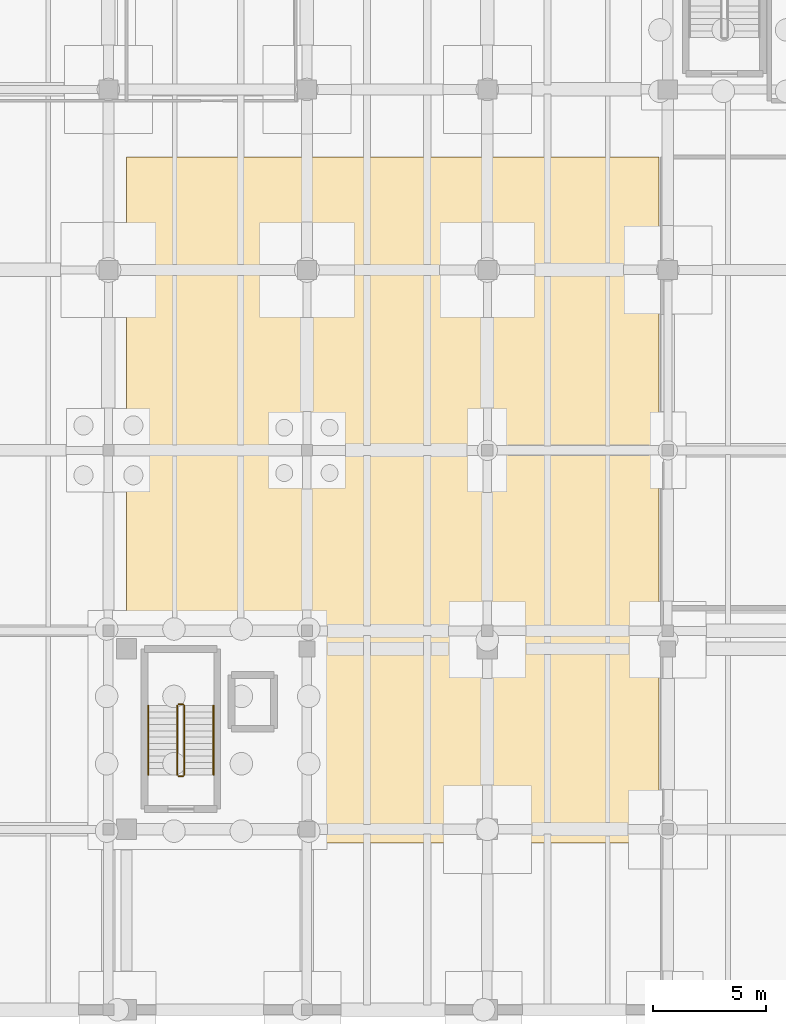
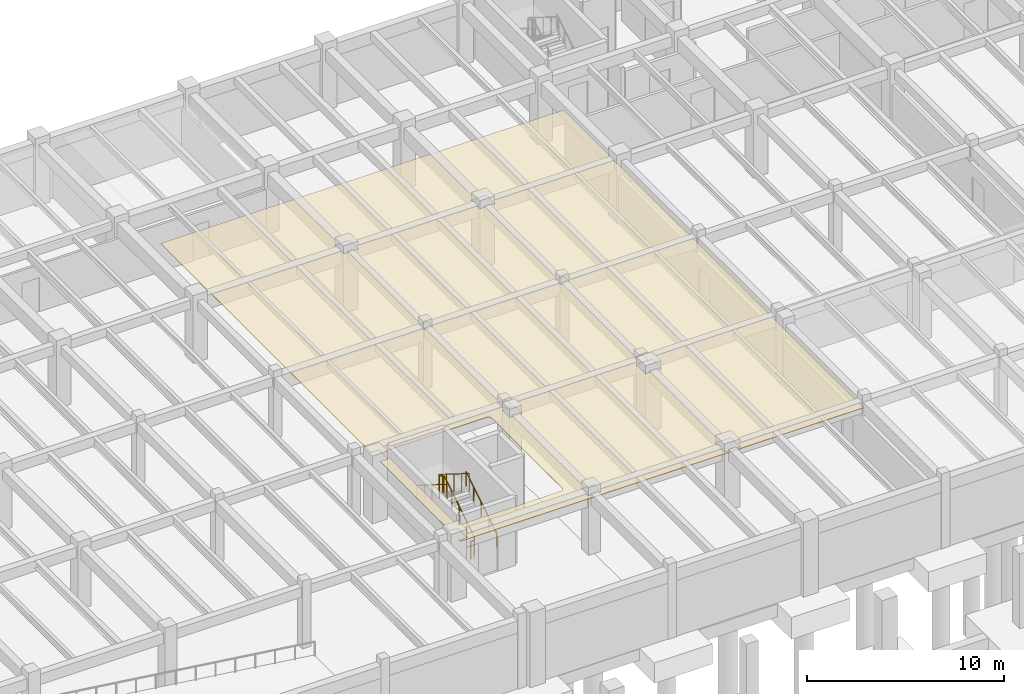
# One storey, part 19 of 25: 6 railings, 1 covering.
"""IFC4 building model written with IfcOpenShell, lengths in metres."""

from ifc_helpers import new_model, si_unit, direction, frame, origin, origin_2d, place, context, subcontext, project, spatial, polyline, circle, outline, extrude, material, layer, layer_set, type_object, element, save


model = new_model("IFC4")

# Units and contexts
model_context = context("Model", 3, precision=1e-05, world=origin(), true_north=direction((0.0, 1.0)))
body_context = subcontext(model_context, "Body", "Model", "MODEL_VIEW")
ifc_project = project(units=[si_unit("LENGTHUNIT", "METRE"), si_unit("AREAUNIT", "SQUARE_METRE"), si_unit("VOLUMEUNIT", "CUBIC_METRE"), si_unit("PLANEANGLEUNIT", "RADIAN"), si_unit("MASSUNIT", "GRAM", prefix="KILO")], contexts=[model_context])

# Site, building, storey
site_placement = place(None, origin())
site = spatial("IfcSite", under=ifc_project, at=site_placement, CompositionType="ELEMENT")
building_placement = place(site_placement, origin())
building = spatial("IfcBuilding", under=site, at=building_placement, Name="Tlaxcora Railside Police Headquarters", CompositionType="ELEMENT")
storey_placement = place(building_placement, frame((0.0, 0.0, -4.199951171875)))
storey = spatial("IfcBuildingStorey", under=building, at=storey_placement, Name="B1", CompositionType="ELEMENT", Elevation=-4.199951171875)

# Covering
ifc_material_1 = material(Name="Mineral-fibre acoustic ceiling tile")
ifc_layer = layer(ifc_material_1, 0.034912109375, Name="Mineral-fibre acoustic ceiling tile")
ifc_layer_set = layer_set([ifc_layer], Name="Mineral-fibre acoustic ceiling tile")
covering_type = type_object("IfcCoveringType", Name="Acoustic Suspended Ceiling CLG-01", PredefinedType="CEILING", material=ifc_layer_set)
covering_placement = place(storey_placement, frame((0.0, 0.0, 3.68505859375)))
element("IfcCovering", 1, at=covering_placement, inside=storey, type_object=covering_type, Name="Tactical Response Vehicle Readiness Bay and Equipment Depot suspended ceiling", PredefinedType="CEILING", context=body_context, shape_type="SweptSolid", body=[
    extrude(outline(polyline([(69.60009765625, 81.800048828125), (46.0, 81.800048828125), (46.0, 60.4599609375), (46.4599609375, 60.4599609375), (46.4599609375, 59.5400390625), (46.0, 59.5400390625), (46.0, 52.4599609375), (46.4599609375, 52.4599609375), (46.4599609375, 51.5400390625), (46.0, 51.5400390625), (46.0, 51.39990234375), (69.60009765625, 51.39990234375), (69.60009765625, 76.364990234375), (69.56494140625, 76.364990234375), (69.56494140625, 77.235107421875), (69.60009765625, 77.235107421875), (69.60009765625, 81.800048828125)]), holes=[polyline([(52.81884765625, 52.87841796875), (52.81591796875, 52.857177734375), (52.810546875, 52.836181640625), (52.80322265625, 52.81591796875), (52.7939453125, 52.79638671875), (52.782958984375, 52.77783203125), (52.77001953125, 52.760498046875), (52.755615234375, 52.744384765625), (52.739501953125, 52.72998046875), (52.72216796875, 52.717041015625), (52.70361328125, 52.7060546875), (52.68408203125, 52.69677734375), (52.663818359375, 52.689453125), (52.642822265625, 52.68408203125), (52.62158203125, 52.68115234375), (52.60009765625, 52.679931640625), (46.800048828125, 52.679931640625), (46.7783203125, 52.68115234375), (46.757080078125, 52.68408203125), (46.736083984375, 52.689453125), (46.7158203125, 52.69677734375), (46.6962890625, 52.7060546875), (46.677734375, 52.717041015625), (46.660400390625, 52.72998046875), (46.644287109375, 52.744384765625), (46.6298828125, 52.760498046875), (46.6171875, 52.77783203125), (46.60595703125, 52.79638671875), (46.5966796875, 52.81591796875), (46.589599609375, 52.836181640625), (46.584228515625, 52.857177734375), (46.5810546875, 52.87841796875), (46.580078125, 52.89990234375), (46.580078125, 60.0), (46.5810546875, 60.021484375), (46.584228515625, 60.04296875), (46.589599609375, 60.06396484375), (46.5966796875, 60.084228515625), (46.60595703125, 60.103759765625), (46.6171875, 60.122314453125), (46.6298828125, 60.1396484375), (46.644287109375, 60.155517578125), (46.660400390625, 60.170166015625), (46.677734375, 60.182861328125), (46.6962890625, 60.194091796875), (46.7158203125, 60.203369140625), (46.736083984375, 60.21044921875), (46.757080078125, 60.2158203125), (46.7783203125, 60.218994140625), (46.800048828125, 60.219970703125), (52.60009765625, 60.219970703125), (52.62158203125, 60.218994140625), (52.642822265625, 60.2158203125), (52.663818359375, 60.21044921875), (52.68408203125, 60.203369140625), (52.70361328125, 60.194091796875), (52.72216796875, 60.182861328125), (52.739501953125, 60.170166015625), (52.755615234375, 60.155517578125), (52.77001953125, 60.1396484375), (52.782958984375, 60.122314453125), (52.7939453125, 60.103759765625), (52.80322265625, 60.084228515625), (52.810546875, 60.06396484375), (52.81591796875, 60.04296875), (52.81884765625, 60.021484375), (52.820068359375, 60.0), (52.820068359375, 52.89990234375), (52.81884765625, 52.87841796875)]), polyline([(53.639892578125, 52.360107421875), (54.360107421875, 52.360107421875), (54.360107421875, 51.639892578125), (53.639892578125, 51.639892578125), (53.639892578125, 52.360107421875)]), polyline([(54.360107421875, 60.360107421875), (54.360107421875, 59.639892578125), (53.639892578125, 59.639892578125), (53.639892578125, 60.360107421875), (54.360107421875, 60.360107421875)]), polyline([(54.260009765625, 60.5400390625), (53.739990234375, 60.5400390625), (53.739990234375, 61.06005859375), (54.260009765625, 61.06005859375), (54.260009765625, 60.5400390625)]), polyline([(53.739990234375, 68.5400390625), (53.739990234375, 69.06005859375), (54.260009765625, 69.06005859375), (54.260009765625, 68.5400390625), (53.739990234375, 68.5400390625)]), polyline([(53.56494140625, 77.235107421875), (54.43505859375, 77.235107421875), (54.43505859375, 76.364990234375), (53.56494140625, 76.364990234375), (53.56494140625, 77.235107421875)]), polyline([(62.4599609375, 52.4599609375), (62.4599609375, 51.5400390625), (61.5400390625, 51.5400390625), (61.5400390625, 52.4599609375), (62.4599609375, 52.4599609375)]), polyline([(62.4599609375, 59.5400390625), (61.5400390625, 59.5400390625), (61.5400390625, 60.4599609375), (62.4599609375, 60.4599609375), (62.4599609375, 59.5400390625)]), polyline([(61.739990234375, 60.5400390625), (61.739990234375, 61.06005859375), (62.260009765625, 61.06005859375), (62.260009765625, 60.5400390625), (61.739990234375, 60.5400390625)]), polyline([(61.739990234375, 69.06005859375), (62.260009765625, 69.06005859375), (62.260009765625, 68.5400390625), (61.739990234375, 68.5400390625), (61.739990234375, 69.06005859375)]), polyline([(62.43505859375, 77.235107421875), (62.43505859375, 76.364990234375), (61.56494140625, 76.364990234375), (61.56494140625, 77.235107421875), (62.43505859375, 77.235107421875)])]), origin(), (0.0, 0.0, 1.0), 0.034912109375),
])

# Railings
ifc_material_2 = material(Name="Steel ASTM A992 Grade 50", Category="steel")
railing_type_1 = type_object("IfcRailingType", Name="Stair Well Guard Balustrade GR-02", PredefinedType="BALUSTRADE", material=ifc_material_2)
railing_1_placement = place(storey_placement, frame((48.56005859375, 54.409912109375, 0.175048828125)))
element("IfcRailing", 2, at=railing_1_placement, inside=storey, type_object=railing_type_1, Name="B1 ST4 stair guard 1", PredefinedType="BALUSTRADE", context=body_context, shape_type="SweptSolid", body=[
    extrude(circle(Radius=0.02392578125, at=origin_2d()), frame((0.0, 0.0, 1.09619140625), z_axis=(0.0, 0.848028513186, 0.529950602248), x_axis=(-1.0, 0.0, 0.0)), (0.0, 0.0, 1.0), 3.632080078125),
    extrude(circle(Radius=0.02099609375, at=origin_2d()), origin(), (0.0, 0.0, 1.0), 1.072021484375),
    extrude(circle(Radius=0.02099609375, at=origin_2d()), frame((0.0, 0.77001953125, 0.481201171875)), (0.0, 0.0, 1.0), 1.072021484375),
    extrude(circle(Radius=0.02099609375, at=origin_2d()), frame((0.0, 1.5400390625, 0.96240234375)), (0.0, 0.0, 1.0), 1.072021484375),
    extrude(circle(Radius=0.02099609375, at=origin_2d()), frame((0.0, 2.31005859375, 1.443603515625)), (0.0, 0.0, 1.0), 1.072021484375),
    extrude(circle(Radius=0.02099609375, at=origin_2d()), frame((0.0, 3.080078125, 1.9248046875)), (0.0, 0.0, 1.0), 1.072021484375),
])
railing_2_placement = place(storey_placement, frame((48.510009765625, 57.5400390625, 2.099853515625)))
element("IfcRailing", 3, at=railing_2_placement, inside=storey, type_object=railing_type_1, Name="B1 ST4 stair guard 2", PredefinedType="BALUSTRADE", context=body_context, shape_type="SweptSolid", body=[
    extrude(circle(Radius=0.02392578125, at=origin_2d()), frame((0.0, 0.0, 1.09619140625), z_axis=(-1.0, 0.0, 0.0), x_axis=(0.0, -1.0, 0.0)), (0.0, 0.0, 1.0), 0.199951171875),
    extrude(circle(Radius=0.02099609375, at=origin_2d()), origin(), (0.0, 0.0, 1.0), 1.072021484375),
    extrude(circle(Radius=0.02099609375, at=origin_2d()), frame((-0.199951171875, 0.0, 0.0)), (0.0, 0.0, 1.0), 1.072021484375),
])
railing_3_placement = place(storey_placement, frame((48.260009765625, 57.489990234375, 2.27490234375)))
element("IfcRailing", 4, at=railing_3_placement, inside=storey, type_object=railing_type_1, Name="B1 ST4 stair guard 3", PredefinedType="BALUSTRADE", context=body_context, shape_type="SweptSolid", body=[
    extrude(circle(Radius=0.02392578125, at=origin_2d()), frame((0.0, 0.0, 1.09619140625), z_axis=(0.0, -0.847998304005, 0.529998940003), x_axis=(1.0, 0.0, 0.0)), (0.0, 0.0, 1.0), 3.632080078125),
    extrude(circle(Radius=0.02099609375, at=origin_2d()), origin(), (0.0, 0.0, 1.0), 1.072021484375),
    extrude(circle(Radius=0.02099609375, at=origin_2d()), frame((0.0, -0.77001953125, 0.481201171875)), (0.0, 0.0, 1.0), 1.072021484375),
    extrude(circle(Radius=0.02099609375, at=origin_2d()), frame((0.0, -1.5400390625, 0.96240234375)), (0.0, 0.0, 1.0), 1.072021484375),
    extrude(circle(Radius=0.02099609375, at=origin_2d()), frame((0.0, -2.31005859375, 1.44384765625)), (0.0, 0.0, 1.0), 1.072021484375),
    extrude(circle(Radius=0.02099609375, at=origin_2d()), frame((0.0, -3.080078125, 1.925048828125)), (0.0, 0.0, 1.0), 1.072021484375),
])
railing_4_placement = place(storey_placement, frame((48.510009765625, 54.360107421875, 0.0)))
element("IfcRailing", 5, at=railing_4_placement, inside=storey, type_object=railing_type_1, Name="B1 ST4 stair guard 4", PredefinedType="BALUSTRADE", context=body_context, shape_type="SweptSolid", body=[
    extrude(circle(Radius=0.02392578125, at=origin_2d()), frame((0.0, 0.0, 1.09619140625), z_axis=(-1.0, 0.0, 0.0), x_axis=(0.0, -1.0, 0.0)), (0.0, 0.0, 1.0), 0.199951171875),
    extrude(circle(Radius=0.02099609375, at=origin_2d()), origin(), (0.0, 0.0, 1.0), 1.072021484375),
    extrude(circle(Radius=0.02099609375, at=origin_2d()), frame((-0.199951171875, 0.0, 0.0)), (0.0, 0.0, 1.0), 1.072021484375),
])
railing_type_2 = type_object("IfcRailingType", Name="Stair and Ramp Handrail HR-01", PredefinedType="HANDRAIL", material=ifc_material_2)
railing_5_placement = place(storey_placement, frame((49.860107421875, 54.409912109375, 0.175048828125)))
element("IfcRailing", 6, at=railing_5_placement, inside=storey, type_object=railing_type_2, Name="B1 ST4 stair handrail 1", PredefinedType="HANDRAIL", context=body_context, shape_type="SweptSolid", body=[
    extrude(circle(Radius=0.02392578125, at=origin_2d()), frame((0.0, 0.0, 0.8759765625), z_axis=(0.0, 0.848028513186, 0.529950602248), x_axis=(-1.0, 0.0, 0.0)), (0.0, 0.0, 1.0), 3.632080078125),
    extrude(circle(Radius=0.02099609375, at=origin_2d()), origin(), (0.0, 0.0, 1.0), 0.851806640625),
    extrude(circle(Radius=0.02099609375, at=origin_2d()), frame((0.0, 0.77001953125, 0.481201171875)), (0.0, 0.0, 1.0), 0.851806640625),
    extrude(circle(Radius=0.02099609375, at=origin_2d()), frame((0.0, 1.5400390625, 0.96240234375)), (0.0, 0.0, 1.0), 0.851806640625),
    extrude(circle(Radius=0.02099609375, at=origin_2d()), frame((0.0, 2.31005859375, 1.443603515625)), (0.0, 0.0, 1.0), 0.851806640625),
    extrude(circle(Radius=0.02099609375, at=origin_2d()), frame((0.0, 3.080078125, 1.9248046875)), (0.0, 0.0, 1.0), 0.851806640625),
])
railing_6_placement = place(storey_placement, frame((46.9599609375, 57.489990234375, 2.27490234375)))
element("IfcRailing", 7, at=railing_6_placement, inside=storey, type_object=railing_type_2, Name="B1 ST4 stair handrail 2", PredefinedType="HANDRAIL", context=body_context, shape_type="SweptSolid", body=[
    extrude(circle(Radius=0.02392578125, at=origin_2d()), frame((0.0, 0.0, 0.8759765625), z_axis=(0.0, -0.847998304005, 0.529998940003), x_axis=(1.0, 0.0, 0.0)), (0.0, 0.0, 1.0), 3.632080078125),
    extrude(circle(Radius=0.02099609375, at=origin_2d()), origin(), (0.0, 0.0, 1.0), 0.851806640625),
    extrude(circle(Radius=0.02099609375, at=origin_2d()), frame((0.0, -0.77001953125, 0.481201171875)), (0.0, 0.0, 1.0), 0.851806640625),
    extrude(circle(Radius=0.02099609375, at=origin_2d()), frame((0.0, -1.5400390625, 0.96240234375)), (0.0, 0.0, 1.0), 0.851806640625),
    extrude(circle(Radius=0.02099609375, at=origin_2d()), frame((0.0, -2.31005859375, 1.44384765625)), (0.0, 0.0, 1.0), 0.851806640625),
    extrude(circle(Radius=0.02099609375, at=origin_2d()), frame((0.0, -3.080078125, 1.925048828125)), (0.0, 0.0, 1.0), 0.851806640625),
])

save(model, "model.ifc")
